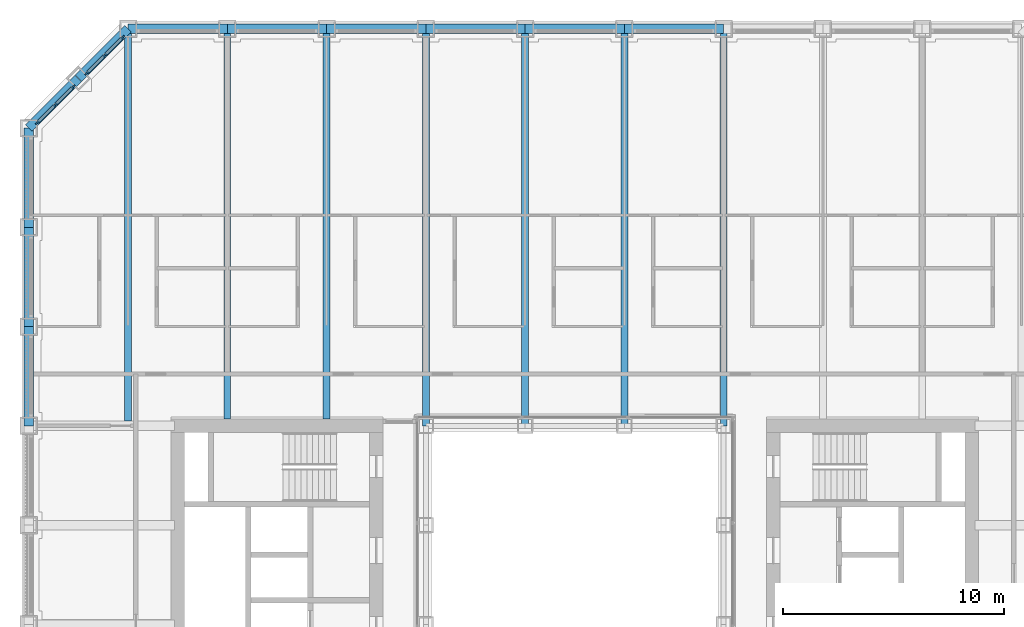
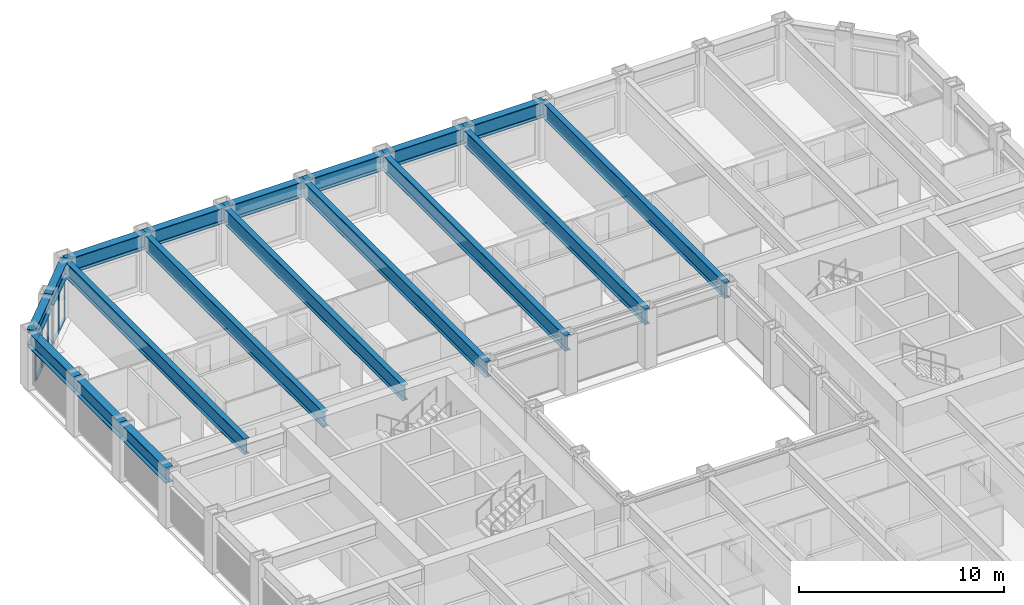
# One storey, part 6 of 21: 18 beams, 14 members, 2 elements without a shape of their own.
"""IFC4 building model written with IfcOpenShell, lengths in metres."""

from ifc_helpers import new_model, si_unit, direction, frame, origin, origin_2d, place, context, subcontext, project, spatial, rectangle, i_section, extrude, material, material_profile, profile_set, type_object, element, aggregate, save


model = new_model("IFC4")

# Units and contexts
model_context = context("Model", 3, precision=1e-05, world=origin(), true_north=direction((0.0, 1.0)))
body_context = subcontext(model_context, "Body", "Model", "MODEL_VIEW")
ifc_project = project(units=[si_unit("LENGTHUNIT", "METRE"), si_unit("AREAUNIT", "SQUARE_METRE"), si_unit("VOLUMEUNIT", "CUBIC_METRE"), si_unit("PLANEANGLEUNIT", "RADIAN"), si_unit("MASSUNIT", "GRAM", prefix="KILO")], contexts=[model_context])

# Site, building, storey
site_placement = place(None, origin())
site = spatial("IfcSite", under=ifc_project, at=site_placement, CompositionType="ELEMENT")
building_placement = place(site_placement, origin())
building = spatial("IfcBuilding", under=site, at=building_placement, Name="Msasa Ring Tower", CompositionType="ELEMENT")
storey_placement = place(building_placement, frame((0.0, 0.0, 51.0)))
storey = spatial("IfcBuildingStorey", under=building, at=storey_placement, Name="L12", CompositionType="ELEMENT", Elevation=51.0)

# Curtain wall, members
ifc_material_1 = material(Name="Aluminium curtain wall with clear glass", Category="aluminium")
curtain_wall_type = type_object("IfcCurtainWallType", Name="CW-C CHAMFER CORNER CURTAIN WALL", PredefinedType="NOTDEFINED", material=ifc_material_1)
curtain_wall_1_placement = place(storey_placement, origin())
curtain_wall_1 = element("IfcCurtainWall", 1, at=curtain_wall_1_placement, inside=storey, type_object=curtain_wall_type, Name="Chamfer corner curtain wall NW L12", PredefinedType="NOTDEFINED")
ifc_material_2 = material(Name="Aluminium mullion", Category="aluminium")
ifc_material_profile_1 = material_profile(ifc_material_2, rectangle(XDim=0.06494140625, YDim=0.179931640625, at=origin_2d()), Name="AL 65x180")
ifc_profile_set_1 = profile_set([ifc_material_profile_1], Name="Aluminium mullion")
member_type_1 = type_object("IfcMemberType", Name="CW-C MULLION 65x180", PredefinedType="MULLION", material=ifc_profile_set_1)
member_1_placement = place(storey_placement, frame((-22.73876953125, 22.119873046875, 0.0), z_axis=(0.0, 0.0, 1.0), x_axis=(0.707106781187, -0.707106781187, 0.0)))
member_1 = element("IfcMember", 2, at=member_1_placement, type_object=member_type_1, Name="CW-C mullion 1", PredefinedType="MULLION", context=body_context, shape_type="SweptSolid", body=[
    extrude(rectangle(XDim=0.06494140625, YDim=0.179931640625, at=origin_2d()), origin(), (0.0, 0.0, 1.0), 2.37890625),
])
member_2_placement = place(storey_placement, frame((-23.55419921875, 21.30419921875, 0.0), z_axis=(0.0, 0.0, 1.0), x_axis=(0.707106781187, -0.707106781187, 0.0)))
member_2 = element("IfcMember", 3, at=member_2_placement, type_object=member_type_1, Name="CW-C mullion 2", PredefinedType="MULLION", context=body_context, shape_type="SweptSolid", body=[
    extrude(rectangle(XDim=0.06494140625, YDim=0.179931640625, at=origin_2d()), origin(), (0.0, 0.0, 1.0), 2.37890625),
])
member_3_placement = place(storey_placement, frame((-24.369873046875, 20.48876953125, 0.0), z_axis=(0.0, 0.0, 1.0), x_axis=(0.707106781187, -0.707106781187, 0.0)))
member_3 = element("IfcMember", 4, at=member_3_placement, type_object=member_type_1, Name="CW-C mullion 3", PredefinedType="MULLION", context=body_context, shape_type="SweptSolid", body=[
    extrude(rectangle(XDim=0.06494140625, YDim=0.179931640625, at=origin_2d()), origin(), (0.0, 0.0, 1.0), 2.37890625),
])

curtain_wall_2_placement = place(storey_placement, origin())
curtain_wall_2 = element("IfcCurtainWall", 5, at=curtain_wall_2_placement, inside=storey, type_object=curtain_wall_type, Name="Chamfer corner curtain wall NW L12", PredefinedType="NOTDEFINED")
member_4_placement = place(storey_placement, frame((-20.48876953125, 24.369873046875, 0.0), z_axis=(0.0, 0.0, 1.0), x_axis=(0.707106781187, -0.707106781187, 0.0)))
member_4 = element("IfcMember", 6, at=member_4_placement, type_object=member_type_1, Name="CW-C mullion 1", PredefinedType="MULLION", context=body_context, shape_type="SweptSolid", body=[
    extrude(rectangle(XDim=0.06494140625, YDim=0.179931640625, at=origin_2d()), origin(), (0.0, 0.0, 1.0), 2.37890625),
])
member_5_placement = place(storey_placement, frame((-21.30419921875, 23.55419921875, 0.0), z_axis=(0.0, 0.0, 1.0), x_axis=(0.707106781187, -0.707106781187, 0.0)))
member_5 = element("IfcMember", 7, at=member_5_placement, type_object=member_type_1, Name="CW-C mullion 2", PredefinedType="MULLION", context=body_context, shape_type="SweptSolid", body=[
    extrude(rectangle(XDim=0.06494140625, YDim=0.179931640625, at=origin_2d()), origin(), (0.0, 0.0, 1.0), 2.37890625),
])
member_6_placement = place(storey_placement, frame((-22.119873046875, 22.73876953125, 0.0), z_axis=(0.0, 0.0, 1.0), x_axis=(0.707106781187, -0.707106781187, 0.0)))
member_6 = element("IfcMember", 8, at=member_6_placement, type_object=member_type_1, Name="CW-C mullion 3", PredefinedType="MULLION", context=body_context, shape_type="SweptSolid", body=[
    extrude(rectangle(XDim=0.06494140625, YDim=0.179931640625, at=origin_2d()), origin(), (0.0, 0.0, 1.0), 2.37890625),
])

# Member
ifc_material_3 = material(Name="Aluminium transom", Category="aluminium")
ifc_material_profile_2 = material_profile(ifc_material_3, rectangle(XDim=0.139892578125, YDim=0.06494140625, at=origin_2d()), Name="AL 65x140")
ifc_profile_set_2 = profile_set([ifc_material_profile_2], Name="Aluminium transom")
member_type_2 = type_object("IfcMemberType", Name="CW-C TRANSOM 65x140", PredefinedType="USERDEFINED", material=ifc_profile_set_2)
member_7_placement = place(storey_placement, frame((-22.76171875, 22.096923828125, 0.032470703125), z_axis=(-0.707106781187, -0.707106781187, 0.0), x_axis=(0.707106781187, -0.707106781187, 0.0)))
member_7 = element("IfcMember", 9, at=member_7_placement, type_object=member_type_2, Name="CW-C transom 1.1", ObjectType="TRANSOM", PredefinedType="USERDEFINED", context=body_context, shape_type="SweptSolid", body=[
    extrude(rectangle(XDim=0.139892578125, YDim=0.06494140625, at=origin_2d()), origin(), (0.0, 0.0, 1.0), 1.08837890625),
])

member_8_placement = place(storey_placement, frame((-22.76171875, 22.096923828125, 2.346435546875), z_axis=(-0.707106781187, -0.707106781187, 0.0), x_axis=(0.707106781187, -0.707106781187, 0.0)))
member_8 = element("IfcMember", 10, at=member_8_placement, type_object=member_type_2, Name="CW-C transom 1.2", ObjectType="TRANSOM", PredefinedType="USERDEFINED", context=body_context, shape_type="SweptSolid", body=[
    extrude(rectangle(XDim=0.139892578125, YDim=0.06494140625, at=origin_2d()), origin(), (0.0, 0.0, 1.0), 1.08837890625),
])

member_9_placement = place(storey_placement, frame((-23.577392578125, 21.28125, 0.032470703125), z_axis=(-0.707106781187, -0.707106781187, 0.0), x_axis=(0.707106781187, -0.707106781187, 0.0)))
member_9 = element("IfcMember", 11, at=member_9_placement, type_object=member_type_2, Name="CW-C transom 2.1", ObjectType="TRANSOM", PredefinedType="USERDEFINED", context=body_context, shape_type="SweptSolid", body=[
    extrude(rectangle(XDim=0.139892578125, YDim=0.06494140625, at=origin_2d()), origin(), (0.0, 0.0, 1.0), 1.08837890625),
])

member_10_placement = place(storey_placement, frame((-23.577392578125, 21.28125, 2.346435546875), z_axis=(-0.707106781187, -0.707106781187, 0.0), x_axis=(0.707106781187, -0.707106781187, 0.0)))
member_10 = element("IfcMember", 12, at=member_10_placement, type_object=member_type_2, Name="CW-C transom 2.2", ObjectType="TRANSOM", PredefinedType="USERDEFINED", context=body_context, shape_type="SweptSolid", body=[
    extrude(rectangle(XDim=0.139892578125, YDim=0.06494140625, at=origin_2d()), origin(), (0.0, 0.0, 1.0), 1.08837890625),
])

aggregate(curtain_wall_1, [member_1, member_2, member_3, member_7, member_8, member_9, member_10])

member_11_placement = place(storey_placement, frame((-20.51171875, 24.346923828125, 0.032470703125), z_axis=(-0.707106781187, -0.707106781187, 0.0), x_axis=(0.707106781187, -0.707106781187, 0.0)))
member_11 = element("IfcMember", 13, at=member_11_placement, type_object=member_type_2, Name="CW-C transom 1.1", ObjectType="TRANSOM", PredefinedType="USERDEFINED", context=body_context, shape_type="SweptSolid", body=[
    extrude(rectangle(XDim=0.139892578125, YDim=0.06494140625, at=origin_2d()), origin(), (0.0, 0.0, 1.0), 1.08837890625),
])

member_12_placement = place(storey_placement, frame((-20.51171875, 24.346923828125, 2.346435546875), z_axis=(-0.707106781187, -0.707106781187, 0.0), x_axis=(0.707106781187, -0.707106781187, 0.0)))
member_12 = element("IfcMember", 14, at=member_12_placement, type_object=member_type_2, Name="CW-C transom 1.2", ObjectType="TRANSOM", PredefinedType="USERDEFINED", context=body_context, shape_type="SweptSolid", body=[
    extrude(rectangle(XDim=0.139892578125, YDim=0.06494140625, at=origin_2d()), origin(), (0.0, 0.0, 1.0), 1.08837890625),
])

member_13_placement = place(storey_placement, frame((-21.327392578125, 23.53125, 0.032470703125), z_axis=(-0.707106781187, -0.707106781187, 0.0), x_axis=(0.707106781187, -0.707106781187, 0.0)))
member_13 = element("IfcMember", 15, at=member_13_placement, type_object=member_type_2, Name="CW-C transom 2.1", ObjectType="TRANSOM", PredefinedType="USERDEFINED", context=body_context, shape_type="SweptSolid", body=[
    extrude(rectangle(XDim=0.139892578125, YDim=0.06494140625, at=origin_2d()), origin(), (0.0, 0.0, 1.0), 1.08837890625),
])

member_14_placement = place(storey_placement, frame((-21.327392578125, 23.53125, 2.346435546875), z_axis=(-0.707106781187, -0.707106781187, 0.0), x_axis=(0.707106781187, -0.707106781187, 0.0)))
member_14 = element("IfcMember", 16, at=member_14_placement, type_object=member_type_2, Name="CW-C transom 2.2", ObjectType="TRANSOM", PredefinedType="USERDEFINED", context=body_context, shape_type="SweptSolid", body=[
    extrude(rectangle(XDim=0.139892578125, YDim=0.06494140625, at=origin_2d()), origin(), (0.0, 0.0, 1.0), 1.08837890625),
])

aggregate(curtain_wall_2, [member_4, member_5, member_6, member_11, member_12, member_13, member_14])

# Beams
ifc_material_4 = material(Name="Steel S355", Category="steel")
ifc_material_profile_3 = material_profile(ifc_material_4, i_section(OverallWidth=0.3076171875, OverallDepth=0.926513671875, WebThickness=0.01953125, FlangeThickness=0.031982421875, FilletRadius=0.01904296875, at=origin_2d()), Name="UB 914x305x289")
ifc_profile_set_3 = profile_set([ifc_material_profile_3], Name="Steel S355")
beam_type_1 = type_object("IfcBeamType", Name="FB3 UB 914x305x289", PredefinedType="BEAM", material=ifc_profile_set_3)
beam_placement = place(storey_placement, frame((-20.25, 24.75, 2.836669921875), z_axis=(0.0, -1.0, 0.0), x_axis=(1.0, 0.0, 0.0)))
element("IfcBeam", 17, at=beam_placement, inside=storey, type_object=beam_type_1, Name="Floor beam N-20.25 under L13", PredefinedType="BEAM", context=body_context, shape_type="SweptSolid", body=[
    extrude(i_section(OverallWidth=0.3076171875, OverallDepth=0.926513671875, WebThickness=0.01953125, FlangeThickness=0.031982421875, FilletRadius=0.01904296875, at=origin_2d()), origin(), (0.0, 0.0, 1.0), 17.789794921875),
])
for number, where, z_axis, x_axis, name in (
    (18, (-15.75, 24.75, 2.836669921875), (0.0, -1.0, 0.0), (1.0, 0.0, 0.0), "Floor beam N-15.75 under L13"),
    (19, (-11.25, 24.75, 2.836669921875), (0.0, -1.0, 0.0), (1.0, 0.0, 0.0), "Floor beam N-11.25 under L13"),
):
    element("IfcBeam", number, at=place(storey_placement, frame(where, z_axis=z_axis, x_axis=x_axis)), inside=storey, type_object=beam_type_1, Name=name, PredefinedType="BEAM", context=body_context, shape_type="SweptSolid", body=[
        extrude(i_section(OverallWidth=0.3076171875, OverallDepth=0.926513671875, WebThickness=0.01953125, FlangeThickness=0.031982421875, FilletRadius=0.01904296875, at=origin_2d()), origin(), (0.0, 0.0, 1.0), 17.699951171875),
    ])
for number, where, z_axis, x_axis, name in (
    (20, (-6.75, 24.75, 2.836669921875), (0.0, -1.0, 0.0), (1.0, 0.0, 0.0), "Floor beam N-6.75 under L13"),
    (21, (-2.25, 24.75, 2.836669921875), (0.0, -1.0, 0.0), (1.0, 0.0, 0.0), "Floor beam N-2.25 under L13"),
    (22, (2.25, 24.75, 2.836669921875), (0.0, -1.0, 0.0), (1.0, 0.0, 0.0), "Floor beam N+2.25 under L13"),
    (23, (6.75, 24.75, 2.836669921875), (0.0, -1.0, 0.0), (1.0, 0.0, 0.0), "Floor beam N+6.75 under L13"),
):
    element("IfcBeam", number, at=place(storey_placement, frame(where, z_axis=z_axis, x_axis=x_axis)), inside=storey, type_object=beam_type_1, Name=name, PredefinedType="BEAM", context=body_context, shape_type="SweptSolid", body=[
        extrude(i_section(OverallWidth=0.3076171875, OverallDepth=0.926513671875, WebThickness=0.01953125, FlangeThickness=0.031982421875, FilletRadius=0.01904296875, at=origin_2d()), origin(), (0.0, 0.0, 1.0), 18.0),
    ])
ifc_material_5 = material(Name="Steel S355", Category="steel")
ifc_material_profile_4 = material_profile(ifc_material_5, i_section(OverallWidth=0.42041015625, OverallDepth=0.9208984375, WebThickness=0.021484375, FlangeThickness=0.03662109375, FilletRadius=0.024169921875, at=origin_2d()), Name="UB 914x419x388")
ifc_profile_set_4 = profile_set([ifc_material_profile_4], Name="Steel S355")
beam_type_2 = type_object("IfcBeamType", Name="SB1 UB 914x419x388", PredefinedType="SPANDREL", material=ifc_profile_set_4)
for number, where, z_axis, x_axis, name in (
    (24, (6.75, 24.75, 2.839599609375), (-1.0, 0.0, 0.0), (0.0, -1.0, 0.0), "Spandrel N+6.75 to N+2.25 under L13"),
    (25, (2.25, 24.75, 2.839599609375), (-1.0, 0.0, 0.0), (0.0, -1.0, 0.0), "Spandrel N+2.25 to N-2.25 under L13"),
    (26, (-2.25, 24.75, 2.839599609375), (-1.0, 0.0, 0.0), (0.0, -1.0, 0.0), "Spandrel N-2.25 to N-6.75 under L13"),
    (27, (-6.75, 24.75, 2.839599609375), (-1.0, 0.0, 0.0), (0.0, -1.0, 0.0), "Spandrel N-6.75 to N-11.25 under L13"),
    (28, (-11.25, 24.75, 2.839599609375), (-1.0, 0.0, 0.0), (0.0, -1.0, 0.0), "Spandrel N-11.25 to N-15.75 under L13"),
    (29, (-15.75, 24.75, 2.839599609375), (-1.0, 0.0, 0.0), (0.0, -1.0, 0.0), "Spandrel N-15.75 to N-20.25 under L13"),
):
    element("IfcBeam", number, at=place(storey_placement, frame(where, z_axis=z_axis, x_axis=x_axis)), inside=storey, type_object=beam_type_2, Name=name, PredefinedType="SPANDREL", context=body_context, shape_type="SweptSolid", body=[
        extrude(i_section(OverallWidth=0.42041015625, OverallDepth=0.9208984375, WebThickness=0.021484375, FlangeThickness=0.03662109375, FilletRadius=0.024169921875, at=origin_2d()), origin(), (0.0, 0.0, 1.0), 4.5),
    ])
for number, where, z_axis, x_axis, name in (
    (30, (-20.25, 24.75, 2.839599609375), (-0.707106781187, -0.707106781187, 0.0), (0.707106781187, -0.707106781187, 0.0), "Spandrel N-20.25 to NW under L13"),
    (31, (-22.5, 22.5, 2.839599609375), (-0.707106781187, -0.707106781187, 0.0), (0.707106781187, -0.707106781187, 0.0), "Spandrel NW to W+20.25 under L13"),
):
    element("IfcBeam", number, at=place(storey_placement, frame(where, z_axis=z_axis, x_axis=x_axis)), inside=storey, type_object=beam_type_2, Name=name, PredefinedType="SPANDREL", context=body_context, shape_type="SweptSolid", body=[
        extrude(i_section(OverallWidth=0.42041015625, OverallDepth=0.9208984375, WebThickness=0.021484375, FlangeThickness=0.03662109375, FilletRadius=0.024169921875, at=origin_2d()), origin(), (0.0, 0.0, 1.0), 3.181884765625),
    ])
for number, where, z_axis, x_axis, name in (
    (32, (-24.75, 20.25, 2.839599609375), (0.0, -1.0, 0.0), (1.0, 0.0, 0.0), "Spandrel W+20.25 to W+15.75 under L13"),
    (33, (-24.75, 15.75, 2.839599609375), (0.0, -1.0, 0.0), (1.0, 0.0, 0.0), "Spandrel W+15.75 to W+11.25 under L13"),
    (34, (-24.75, 11.25, 2.839599609375), (0.0, -1.0, 0.0), (1.0, 0.0, 0.0), "Spandrel W+11.25 to W+6.75 under L13"),
):
    element("IfcBeam", number, at=place(storey_placement, frame(where, z_axis=z_axis, x_axis=x_axis)), inside=storey, type_object=beam_type_2, Name=name, PredefinedType="SPANDREL", context=body_context, shape_type="SweptSolid", body=[
        extrude(i_section(OverallWidth=0.42041015625, OverallDepth=0.9208984375, WebThickness=0.021484375, FlangeThickness=0.03662109375, FilletRadius=0.024169921875, at=origin_2d()), origin(), (0.0, 0.0, 1.0), 4.5),
    ])

save(model, "model.ifc")
